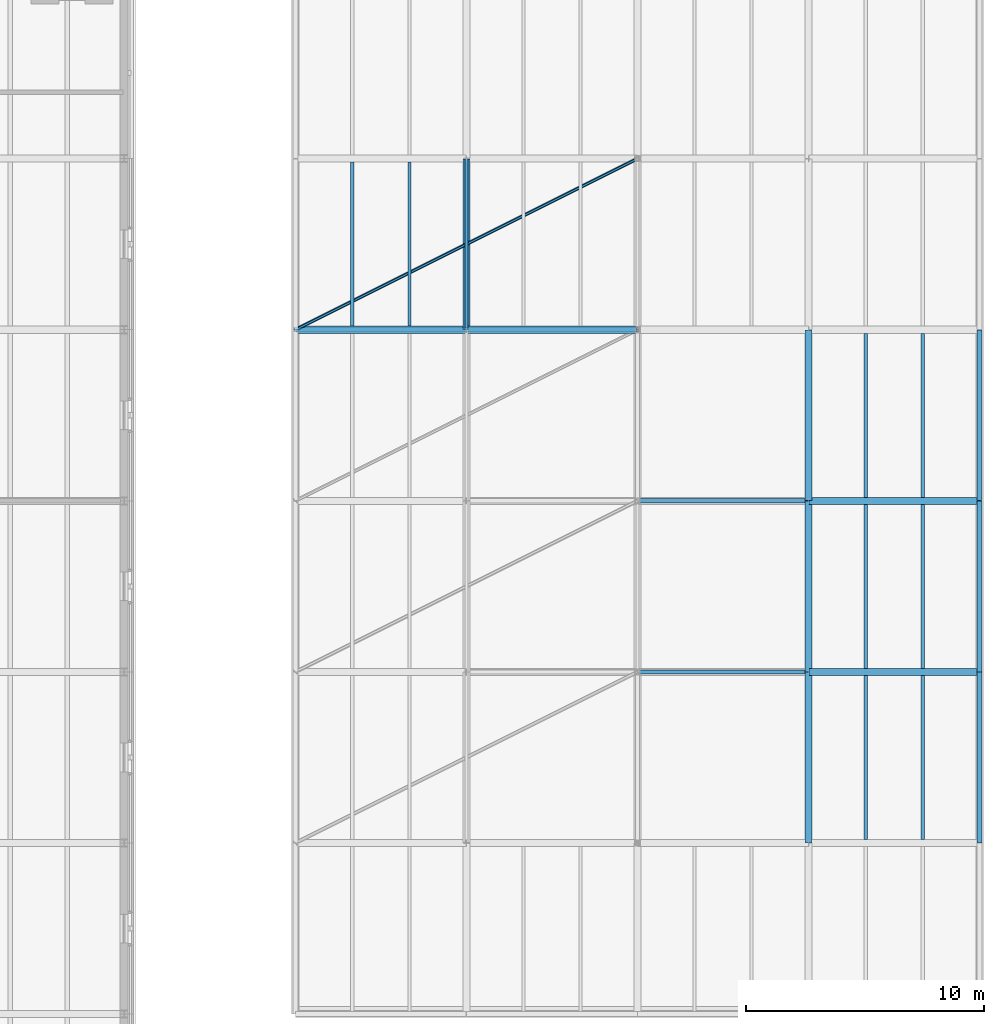
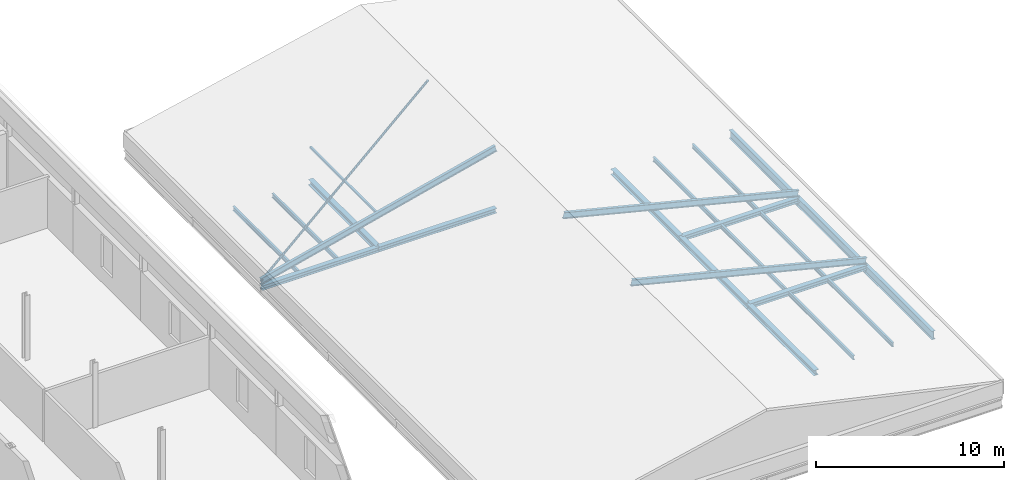
# One storey, part 8 of 44: 19 beams, 5 members.
"""IFC4 building model written with IfcOpenShell, lengths in metres."""

from ifc_helpers import new_model, si_unit, direction, frame, origin, origin_2d, place, context, subcontext, project, spatial, hollow_rectangle, hollow_circle, i_section, extrude, material, material_profile, profile_set, type_object, element, save


model = new_model("IFC4")

# Units and contexts
model_context = context("Model", 3, precision=1e-05, world=origin(), true_north=direction((0.0, 1.0)))
body_context = subcontext(model_context, "Body", "Model", "MODEL_VIEW")
ifc_project = project(units=[si_unit("LENGTHUNIT", "METRE"), si_unit("AREAUNIT", "SQUARE_METRE"), si_unit("VOLUMEUNIT", "CUBIC_METRE"), si_unit("PLANEANGLEUNIT", "RADIAN"), si_unit("MASSUNIT", "GRAM", prefix="KILO")], contexts=[model_context])

# Site, building, storey
site_placement = place(None, origin())
site = spatial("IfcSite", under=ifc_project, at=site_placement, CompositionType="ELEMENT")
building_placement = place(site_placement, origin())
building = spatial("IfcBuilding", under=site, at=building_placement, Name="Narikvali Park Central Library", CompositionType="ELEMENT")
storey_placement = place(building_placement, frame((0.0, 0.0, 22.800048828125)))
storey = spatial("IfcBuildingStorey", under=building, at=storey_placement, Name="L05", CompositionType="ELEMENT", Elevation=22.800048828125)

# Beams
ifc_material = material(Name="Steel S355", Category="steel")
ifc_material_profile_1 = material_profile(ifc_material, i_section(OverallWidth=0.135009765625, OverallDepth=0.27001953125, WebThickness=0.006591796875, FlangeThickness=0.01025390625, FilletRadius=0.014892578125, at=origin_2d()), Name="IPE 270")
ifc_profile_set_1 = profile_set([ifc_material_profile_1], Name="Steel S355")
beam_type_1 = type_object("IfcBeamType", Name="Composite Floor Joist IPE270", PredefinedType="JOIST", material=ifc_profile_set_1)
for number, where, z_axis, x_axis, name in (
    (1, (31.199951171875, 86.550048828125, -0.375), (0.0, 1.0, 0.0), (-1.0, 0.0, 0.0), "V4 L05 Composite Joist 1"),
    (2, (33.60009765625, 86.550048828125, -0.375), (0.0, 1.0, 0.0), (-1.0, 0.0, 0.0), "V4 L05 Composite Joist 2"),
):
    element("IfcBeam", number, at=place(storey_placement, frame(where, z_axis=z_axis, x_axis=x_axis)), inside=storey, type_object=beam_type_1, Name=name, PredefinedType="JOIST", context=body_context, shape_type="SweptSolid", body=[
        extrude(i_section(OverallWidth=0.135009765625, OverallDepth=0.27001953125, WebThickness=0.006591796875, FlangeThickness=0.01025390625, FilletRadius=0.014892578125, at=origin_2d()), origin(), (0.0, 0.0, 1.0), 6.89990234375),
    ])
for number, where, z_axis, x_axis, name in (
    (3, (52.800048828125, 64.949951171875, -0.375), (0.0, 1.0, 0.0), (-1.0, 0.0, 0.0), "V4 L05 Composite Joist 1"),
    (4, (55.199951171875, 64.949951171875, -0.375), (0.0, 1.0, 0.0), (-1.0, 0.0, 0.0), "V4 L05 Composite Joist 2"),
    (5, (52.800048828125, 72.14990234375, -0.375), (0.0, 1.0, 0.0), (-1.0, 0.0, 0.0), "V4 L05 Composite Joist 1"),
    (6, (55.199951171875, 72.14990234375, -0.375), (0.0, 1.0, 0.0), (-1.0, 0.0, 0.0), "V4 L05 Composite Joist 2"),
):
    element("IfcBeam", number, at=place(storey_placement, frame(where, z_axis=z_axis, x_axis=x_axis)), inside=storey, type_object=beam_type_1, Name=name, PredefinedType="JOIST", context=body_context, shape_type="SweptSolid", body=[
        extrude(i_section(OverallWidth=0.135009765625, OverallDepth=0.27001953125, WebThickness=0.006591796875, FlangeThickness=0.01025390625, FilletRadius=0.014892578125, at=origin_2d()), origin(), (0.0, 0.0, 1.0), 6.900146484375),
    ])
for number, where, z_axis, x_axis, name in (
    (7, (52.800048828125, 79.35009765625, -0.375), (0.0, 1.0, 0.0), (-1.0, 0.0, 0.0), "V4 L05 Composite Joist 1"),
    (8, (55.199951171875, 79.35009765625, -0.375), (0.0, 1.0, 0.0), (-1.0, 0.0, 0.0), "V4 L05 Composite Joist 2"),
):
    element("IfcBeam", number, at=place(storey_placement, frame(where, z_axis=z_axis, x_axis=x_axis)), inside=storey, type_object=beam_type_1, Name=name, PredefinedType="JOIST", context=body_context, shape_type="SweptSolid", body=[
        extrude(i_section(OverallWidth=0.135009765625, OverallDepth=0.27001953125, WebThickness=0.006591796875, FlangeThickness=0.01025390625, FilletRadius=0.014892578125, at=origin_2d()), origin(), (0.0, 0.0, 1.0), 6.89990234375),
    ])

# Members
ifc_material_profile_2 = material_profile(ifc_material, i_section(OverallWidth=0.179931640625, OverallDepth=0.39990234375, WebThickness=0.008544921875, FlangeThickness=0.013427734375, FilletRadius=0.02099609375, at=origin_2d()), Name="IPE 400")
ifc_profile_set_2 = profile_set([ifc_material_profile_2], Name="Steel S355")
member_type_1 = type_object("IfcMemberType", Name="Long-Span Pavilion Rafter IPE400", PredefinedType="RAFTER", material=ifc_profile_set_2)
for number, where, z_axis, x_axis, name in (
    (9, (43.199951171875, 72.0, 3.599853515625), (0.970145402643, 0.0, -0.24252401475), (0.0, 1.0, 0.0), "V4 Roof Rafter E 2"),
    (10, (43.199951171875, 79.199951171875, 3.599853515625), (0.970145402643, 0.0, -0.24252401475), (0.0, 1.0, 0.0), "V4 Roof Rafter E 3"),
):
    element("IfcMember", number, at=place(storey_placement, frame(where, z_axis=z_axis, x_axis=x_axis)), inside=storey, type_object=member_type_1, Name=name, PredefinedType="RAFTER", context=body_context, shape_type="SweptSolid", body=[
        extrude(i_section(OverallWidth=0.179931640625, OverallDepth=0.39990234375, WebThickness=0.008544921875, FlangeThickness=0.013427734375, FilletRadius=0.02099609375, at=origin_2d()), origin(), (0.0, 0.0, 1.0), 14.84326171875),
    ])
member_1_placement = place(storey_placement, frame((28.800048828125, 86.39990234375, 0.0), z_axis=(0.97014443519, 0.0, 0.242527884726), x_axis=(0.0, 1.0, 0.0)))
element("IfcMember", 11, at=member_1_placement, inside=storey, type_object=member_type_1, Name="V4 Roof Rafter W 4", PredefinedType="RAFTER", context=body_context, shape_type="SweptSolid", body=[
    extrude(i_section(OverallWidth=0.179931640625, OverallDepth=0.39990234375, WebThickness=0.008544921875, FlangeThickness=0.013427734375, FilletRadius=0.02099609375, at=origin_2d()), origin(), (0.0, 0.0, 1.0), 14.843017578125),
])
ifc_material_profile_3 = material_profile(ifc_material, hollow_circle(Radius=0.06982421875, WallThickness=0.008056640625, at=origin_2d()), Name="CHS 139.7x8")
ifc_profile_set_3 = profile_set([ifc_material_profile_3], Name="Steel S355")
member_type_2 = type_object("IfcMemberType", Name="Pavilion Roof Wind Brace CHS139", PredefinedType="BRACE", material=ifc_profile_set_3)
member_2_placement = place(storey_placement, frame((28.800048828125, 86.39990234375, 0.0), z_axis=(0.872867332584, 0.436448465169, 0.218209433708), x_axis=(-0.447225726904, 0.894421125195, 0.0)))
element("IfcMember", 12, at=member_2_placement, inside=storey, type_object=member_type_2, Name="V4 Roof Wind Brace 4", PredefinedType="BRACE", context=body_context, shape_type="SweptSolid", body=[
    extrude(hollow_circle(Radius=0.06982421875, WallThickness=0.008056640625, at=origin_2d()), origin(), (0.0, 0.0, 1.0), 16.497314453125),
])

# Beams
ifc_material_profile_4 = material_profile(ifc_material, i_section(OverallWidth=0.2099609375, OverallDepth=0.550048828125, WebThickness=0.010986328125, FlangeThickness=0.01708984375, FilletRadius=0.02392578125, at=origin_2d()), Name="IPE 550")
ifc_profile_set_4 = profile_set([ifc_material_profile_4], Name="Steel S355")
beam_type_2 = type_object("IfcBeamType", Name="Perimeter Spandrel IPE550", PredefinedType="SPANDREL", material=ifc_profile_set_4)
for number, where, z_axis, x_axis, name in (
    (13, (57.60009765625, 64.80810546875, -0.51513671875), (0.0, 1.0, 0.0), (-1.0, 0.0, 0.0), "V4 L05 Girder Y"),
    (14, (57.60009765625, 72.008056640625, -0.51513671875), (0.0, 1.0, 0.0), (-1.0, 0.0, 0.0), "V4 L05 Girder Y"),
):
    element("IfcBeam", number, at=place(storey_placement, frame(where, z_axis=z_axis, x_axis=x_axis)), inside=storey, type_object=beam_type_2, Name=name, PredefinedType="SPANDREL", context=body_context, shape_type="SweptSolid", body=[
        extrude(i_section(OverallWidth=0.2099609375, OverallDepth=0.550048828125, WebThickness=0.010986328125, FlangeThickness=0.01708984375, FilletRadius=0.02392578125, at=origin_2d()), origin(), (0.0, 0.0, 1.0), 7.183837890625),
    ])
beam_1_placement = place(storey_placement, frame((57.60009765625, 79.2080078125, -0.51513671875), z_axis=(0.0, 1.0, 0.0), x_axis=(-1.0, 0.0, 0.0)))
element("IfcBeam", 15, at=beam_1_placement, inside=storey, type_object=beam_type_2, Name="V4 L05 Girder Y", PredefinedType="SPANDREL", context=body_context, shape_type="SweptSolid", body=[
    extrude(i_section(OverallWidth=0.2099609375, OverallDepth=0.550048828125, WebThickness=0.010986328125, FlangeThickness=0.01708984375, FilletRadius=0.02392578125, at=origin_2d()), origin(), (0.0, 0.0, 1.0), 7.18408203125),
])
ifc_material_profile_5 = material_profile(ifc_material, i_section(OverallWidth=0.300048828125, OverallDepth=0.31005859375, WebThickness=0.009033203125, FlangeThickness=0.015380859375, FilletRadius=0.027099609375, at=origin_2d()), Name="HEA 320")
ifc_profile_set_5 = profile_set([ifc_material_profile_5], Name="Steel S355")
beam_type_3 = type_object("IfcBeamType", Name="Primary Girder HEA320", PredefinedType="BEAM", material=ifc_profile_set_5)
for number, where, z_axis, x_axis, name in (
    (16, (50.407958984375, 72.0, -0.39501953125), (1.0, 0.0, 0.0), (0.0, 1.0, 0.0), "V4 L05 Girder X"),
    (17, (50.407958984375, 79.199951171875, -0.39501953125), (1.0, 0.0, 0.0), (0.0, 1.0, 0.0), "V4 L05 Girder X"),
):
    element("IfcBeam", number, at=place(storey_placement, frame(where, z_axis=z_axis, x_axis=x_axis)), inside=storey, type_object=beam_type_3, Name=name, PredefinedType="BEAM", context=body_context, shape_type="SweptSolid", body=[
        extrude(i_section(OverallWidth=0.300048828125, OverallDepth=0.31005859375, WebThickness=0.009033203125, FlangeThickness=0.015380859375, FilletRadius=0.027099609375, at=origin_2d()), origin(), (0.0, 0.0, 1.0), 7.18408203125),
    ])
for number, where, z_axis, x_axis, name in (
    (18, (28.80810546875, 86.39990234375, -0.39501953125), (1.0, 0.0, 0.0), (0.0, 1.0, 0.0), "V4 L05 Girder X"),
    (19, (36.008056640625, 86.39990234375, -0.39501953125), (1.0, 0.0, 0.0), (0.0, 1.0, 0.0), "V4 L05 Girder X"),
):
    element("IfcBeam", number, at=place(storey_placement, frame(where, z_axis=z_axis, x_axis=x_axis)), inside=storey, type_object=beam_type_3, Name=name, PredefinedType="BEAM", context=body_context, shape_type="SweptSolid", body=[
        extrude(i_section(OverallWidth=0.300048828125, OverallDepth=0.31005859375, WebThickness=0.009033203125, FlangeThickness=0.015380859375, FilletRadius=0.027099609375, at=origin_2d()), origin(), (0.0, 0.0, 1.0), 7.183837890625),
    ])
ifc_material_profile_6 = material_profile(ifc_material, i_section(OverallWidth=0.300048828125, OverallDepth=0.35009765625, WebThickness=0.010009765625, FlangeThickness=0.017578125, FilletRadius=0.027099609375, at=origin_2d()), Name="HEA 360")
ifc_profile_set_6 = profile_set([ifc_material_profile_6], Name="Steel S355")
beam_type_4 = type_object("IfcBeamType", Name="Primary Girder HEA360", PredefinedType="BEAM", material=ifc_profile_set_6)
beam_2_placement = place(storey_placement, frame((36.0, 86.407958984375, -0.4150390625), z_axis=(0.0, 1.0, 0.0), x_axis=(-1.0, 0.0, 0.0)))
element("IfcBeam", 20, at=beam_2_placement, inside=storey, type_object=beam_type_4, Name="V4 L05 Girder Y", PredefinedType="BEAM", context=body_context, shape_type="SweptSolid", body=[
    extrude(i_section(OverallWidth=0.300048828125, OverallDepth=0.35009765625, WebThickness=0.010009765625, FlangeThickness=0.017578125, FilletRadius=0.027099609375, at=origin_2d()), origin(), (0.0, 0.0, 1.0), 7.18408203125),
])
for number, where, z_axis, x_axis, name in (
    (21, (50.39990234375, 64.80810546875, -0.4150390625), (0.0, 1.0, 0.0), (-1.0, 0.0, 0.0), "V4 L05 Girder Y"),
    (22, (50.39990234375, 72.008056640625, -0.4150390625), (0.0, 1.0, 0.0), (-1.0, 0.0, 0.0), "V4 L05 Girder Y"),
):
    element("IfcBeam", number, at=place(storey_placement, frame(where, z_axis=z_axis, x_axis=x_axis)), inside=storey, type_object=beam_type_4, Name=name, PredefinedType="BEAM", context=body_context, shape_type="SweptSolid", body=[
        extrude(i_section(OverallWidth=0.300048828125, OverallDepth=0.35009765625, WebThickness=0.010009765625, FlangeThickness=0.017578125, FilletRadius=0.027099609375, at=origin_2d()), origin(), (0.0, 0.0, 1.0), 7.183837890625),
    ])
beam_3_placement = place(storey_placement, frame((50.39990234375, 79.2080078125, -0.4150390625), z_axis=(0.0, 1.0, 0.0), x_axis=(-1.0, 0.0, 0.0)))
element("IfcBeam", 23, at=beam_3_placement, inside=storey, type_object=beam_type_4, Name="V4 L05 Girder Y", PredefinedType="BEAM", context=body_context, shape_type="SweptSolid", body=[
    extrude(i_section(OverallWidth=0.300048828125, OverallDepth=0.35009765625, WebThickness=0.010009765625, FlangeThickness=0.017578125, FilletRadius=0.027099609375, at=origin_2d()), origin(), (0.0, 0.0, 1.0), 7.18408203125),
])

# Member
ifc_material_profile_7 = material_profile(ifc_material, hollow_rectangle(XDim=0.1201171875, YDim=0.1201171875, WallThickness=0.008056640625, at=origin_2d()), Name="SHS 120x120x8")
ifc_profile_set_7 = profile_set([ifc_material_profile_7], Name="Steel S355")
member_type_3 = type_object("IfcMemberType", Name="Roof Eave Strut SHS120x120", PredefinedType="PURLIN", material=ifc_profile_set_7)
member_3_placement = place(storey_placement, frame((36.0, 86.39990234375, 1.800048828125), z_axis=(0.0, 1.0, 0.0), x_axis=(-1.0, 0.0, 0.0)))
element("IfcMember", 24, at=member_3_placement, inside=storey, type_object=member_type_3, Name="V4 Mid-Slope Purlin 4", PredefinedType="PURLIN", context=body_context, shape_type="SweptSolid", body=[
    extrude(hollow_rectangle(XDim=0.1201171875, YDim=0.1201171875, WallThickness=0.008056640625, at=origin_2d()), origin(), (0.0, 0.0, 1.0), 7.2001953125),
])

save(model, "model.ifc")
